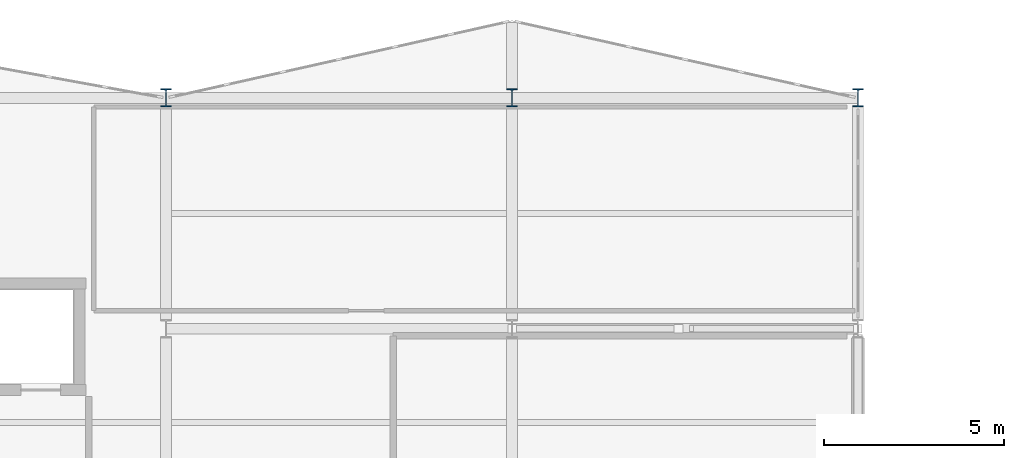
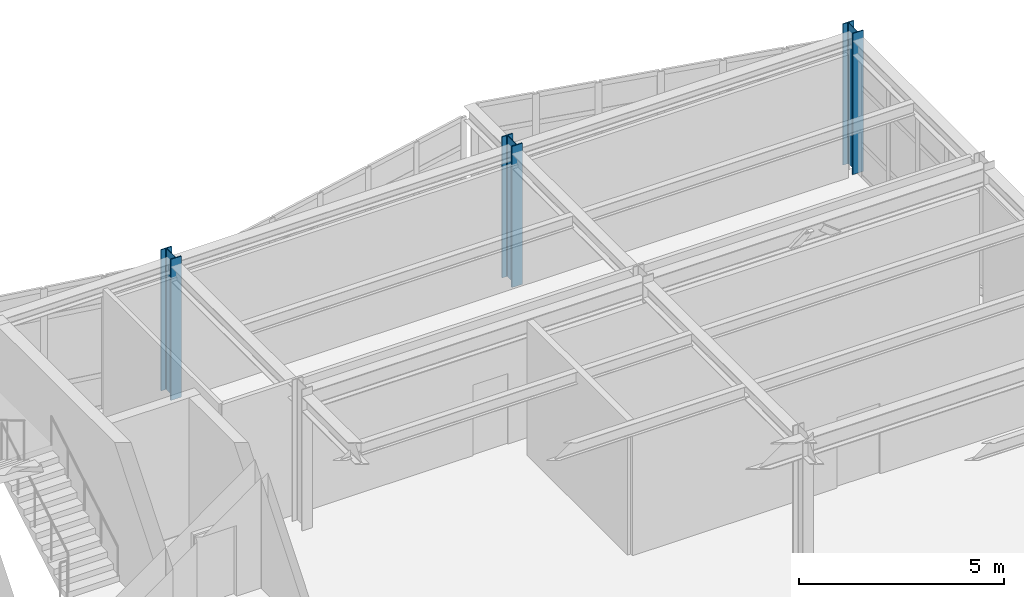
# One storey, part 9 of 64: 3 columns.
"""IFC4 building model written with IfcOpenShell, lengths in metres."""

from ifc_helpers import new_model, si_unit, direction, frame, origin, origin_2d, place, context, subcontext, project, spatial, i_section, extrude, material, material_profile, profile_set, type_object, element, save


model = new_model("IFC4")

# Units and contexts
model_context = context("Model", 3, precision=1e-05, world=origin(), true_north=direction((0.0, 1.0)))
body_context = subcontext(model_context, "Body", "Model", "MODEL_VIEW")
ifc_project = project(units=[si_unit("LENGTHUNIT", "METRE"), si_unit("AREAUNIT", "SQUARE_METRE"), si_unit("VOLUMEUNIT", "CUBIC_METRE"), si_unit("PLANEANGLEUNIT", "RADIAN"), si_unit("MASSUNIT", "GRAM", prefix="KILO")], contexts=[model_context])

# Site, building, storey
site_placement = place(None, origin())
site = spatial("IfcSite", under=ifc_project, at=site_placement, CompositionType="ELEMENT")
building_placement = place(site_placement, origin())
building = spatial("IfcBuilding", under=site, at=building_placement, Name="Nordkorset Police Headquarters", CompositionType="ELEMENT")
storey_placement = place(building_placement, frame((0.0, 0.0, 17.85009765625)))
storey = spatial("IfcBuildingStorey", under=building, at=storey_placement, Name="L04", CompositionType="ELEMENT", Elevation=17.85009765625)

# Columns
ifc_material = material(Name="Steel S355J2", Category="steel")
ifc_material_profile = material_profile(ifc_material, i_section(OverallWidth=0.300048828125, OverallDepth=0.5, WebThickness=0.014404296875, FlangeThickness=0.028076171875, FilletRadius=0.027099609375, at=origin_2d()), Name="HEB 500")
ifc_profile_set = profile_set([ifc_material_profile], Name="Steel S355J2")
column_type = type_object("IfcColumnType", Name="Col_HEB_500", PredefinedType="COLUMN", material=ifc_profile_set)
for number, where, z_axis, x_axis, name in (
    (1, (67.199951171875, 116.800048828125, 0.0), (0.0, 0.0, 1.0), (1.0, 0.0, 0.0), "Structural Column V2_Y3_3 L04"),
    (2, (76.800048828125, 116.800048828125, 0.0), (0.0, 0.0, 1.0), (1.0, 0.0, 0.0), "Structural Column V2_Y3_4 L04"),
    (3, (86.39990234375, 116.800048828125, 0.0), (0.0, 0.0, 1.0), (1.0, 0.0, 0.0), "Structural Column V2_Y3_5 L04"),
):
    element("IfcColumn", number, at=place(storey_placement, frame(where, z_axis=z_axis, x_axis=x_axis)), inside=storey, type_object=column_type, Name=name, PredefinedType="COLUMN", context=body_context, shape_type="SweptSolid", body=[
        extrude(i_section(OverallWidth=0.300048828125, OverallDepth=0.5, WebThickness=0.014404296875, FlangeThickness=0.028076171875, FilletRadius=0.027099609375, at=origin_2d()), origin(), (0.0, 0.0, 1.0), 4.199951171875),
    ])

save(model, "model.ifc")
